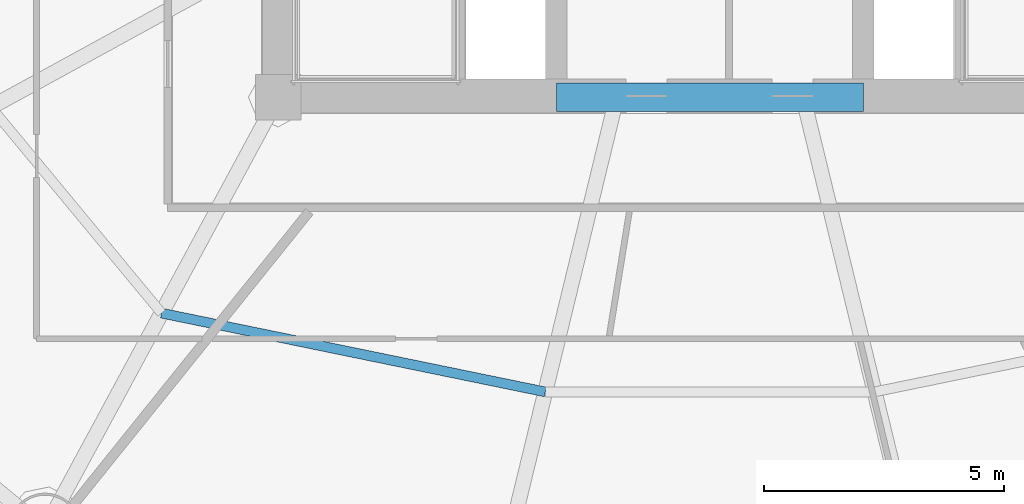
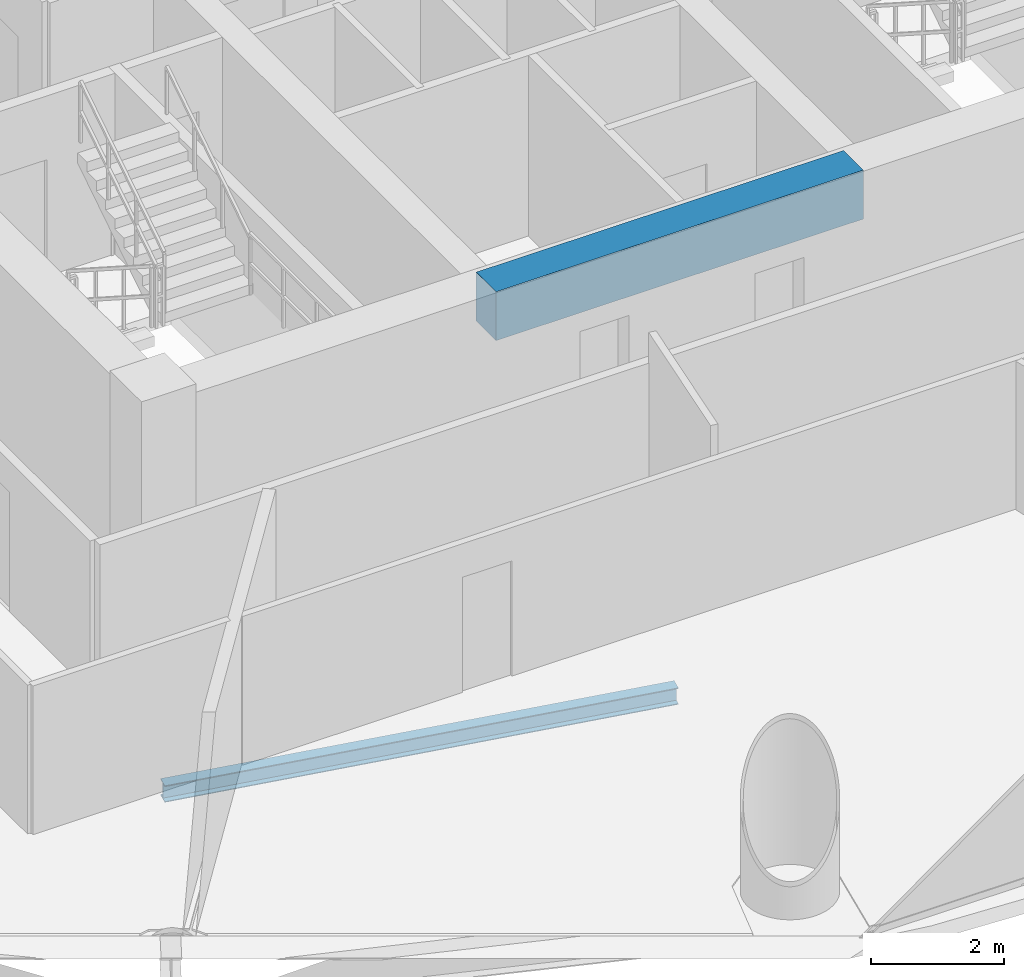
# One storey, part 6 of 29: 2 beams.
"""IFC4 building model written with IfcOpenShell, lengths in metres."""

from ifc_helpers import new_model, si_unit, direction, frame, origin, origin_2d, place, context, subcontext, project, spatial, rectangle, i_section, extrude, material, material_profile, profile_set, type_object, element, save


model = new_model("IFC4")

# Units and contexts
model_context = context("Model", 3, precision=1e-05, world=origin(), true_north=direction((-0.2419218956, 0.970295726276)))
body_context = subcontext(model_context, "Body", "Model", "MODEL_VIEW")
ifc_project = project(units=[si_unit("LENGTHUNIT", "METRE"), si_unit("AREAUNIT", "SQUARE_METRE"), si_unit("VOLUMEUNIT", "CUBIC_METRE"), si_unit("PLANEANGLEUNIT", "RADIAN"), si_unit("MASSUNIT", "GRAM", prefix="KILO")], contexts=[model_context])

# Site, building, storey
site_placement = place(None, origin())
site = spatial("IfcSite", under=ifc_project, at=site_placement, CompositionType="ELEMENT")
building_placement = place(site_placement, origin())
building = spatial("IfcBuilding", under=site, at=building_placement, Name="Cobrevalo Terracotta Tower", CompositionType="ELEMENT")
storey_placement = place(building_placement, frame((0.0, 0.0, 119.39990234375)))
storey = spatial("IfcBuildingStorey", under=building, at=storey_placement, Name="L31", CompositionType="ELEMENT", Elevation=119.39990234375)

# Beams
ifc_material_1 = material(Name="Concrete C60", Category="concrete")
ifc_material_profile_1 = material_profile(ifc_material_1, rectangle(XDim=0.60009765625, YDim=0.89990234375, at=origin_2d()), Name="RC CB 600x900")
ifc_profile_set_1 = profile_set([ifc_material_profile_1], Name="Concrete C60")
beam_type_1 = type_object("IfcBeamType", Name="Structural Beam RC CB 600x900 (Concrete C60)", PredefinedType="BEAM", material=ifc_profile_set_1)
beam_1_placement = place(storey_placement, frame((34.800048828125, 18.800048828125, 2.875), z_axis=(1.0, 0.0, 0.0), x_axis=(0.0, 1.0, 0.0)))
element("IfcBeam", 1, at=beam_1_placement, inside=storey, type_object=beam_type_1, Name="L31 core coupling beam 1", PredefinedType="BEAM", context=body_context, shape_type="SweptSolid", body=[
    extrude(rectangle(XDim=0.60009765625, YDim=0.89990234375, at=origin_2d()), origin(), (0.0, 0.0, 1.0), 6.39990234375),
])
ifc_material_2 = material(Name="Steel S355", Category="steel")
ifc_material_profile_2 = material_profile(ifc_material_2, i_section(OverallWidth=0.2041015625, OverallDepth=0.305908203125, WebThickness=0.008544921875, FlangeThickness=0.0146484375, at=origin_2d()), Name="W 310x67")
ifc_profile_set_2 = profile_set([ifc_material_profile_2], Name="Steel S355")
beam_type_2 = type_object("IfcBeamType", Name="Structural Joist W 310x67 (Steel S355)", PredefinedType="JOIST", material=ifc_profile_set_2)
beam_2_placement = place(storey_placement, frame((26.5693359375, 14.29833984375, -0.427978515625), z_axis=(0.979574469315, -0.201081722357, 0.0), x_axis=(0.201081722357, 0.979574469315, 0.0)))
element("IfcBeam", 2, at=beam_2_placement, inside=storey, type_object=beam_type_2, Name="L31 circumferential secondary floor joist 11", PredefinedType="JOIST", context=body_context, shape_type="SweptSolid", body=[
    extrude(i_section(OverallWidth=0.2041015625, OverallDepth=0.305908203125, WebThickness=0.008544921875, FlangeThickness=0.0146484375, at=origin_2d()), origin(), (0.0, 0.0, 1.0), 8.1650390625),
])

save(model, "model.ifc")
